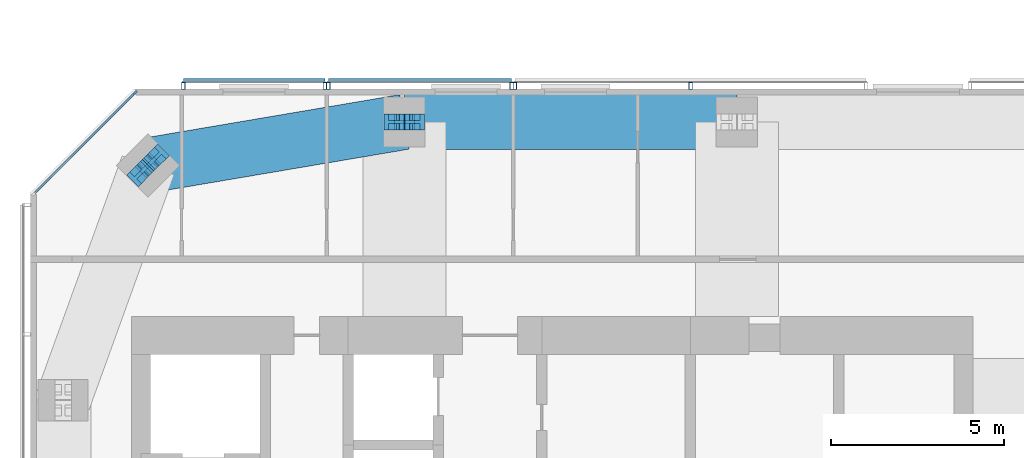
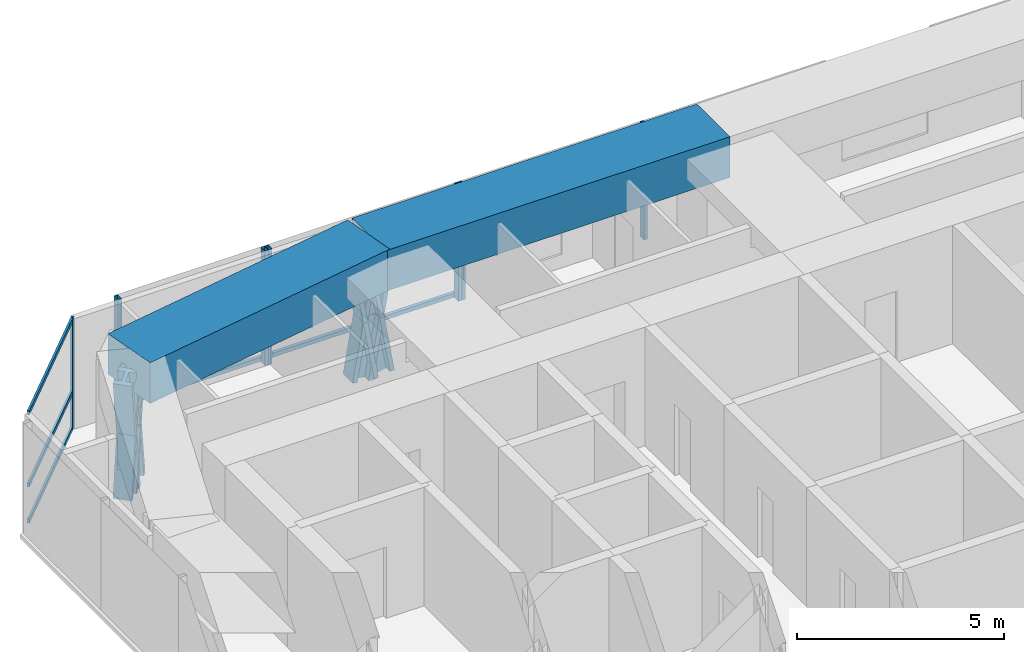
# One storey, part 9 of 18: 20 members, 2 beams, 4 elements without a shape of their own.
"""IFC4 building model written with IfcOpenShell, lengths in metres."""

from ifc_helpers import new_model, si_unit, direction, frame, origin, origin_2d, place, context, subcontext, project, spatial, rectangle, hollow_rectangle, i_section, extrude, material, material_profile, profile_set, type_object, element, aggregate, save


model = new_model("IFC4")

# Units and contexts
model_context = context("Model", 3, precision=1e-05, world=origin(), true_north=direction((0.0, 1.0)))
body_context = subcontext(model_context, "Body", "Model", "MODEL_VIEW")
ifc_project = project(units=[si_unit("LENGTHUNIT", "METRE"), si_unit("AREAUNIT", "SQUARE_METRE"), si_unit("VOLUMEUNIT", "CUBIC_METRE"), si_unit("PLANEANGLEUNIT", "RADIAN"), si_unit("MASSUNIT", "GRAM", prefix="KILO")], contexts=[model_context])

# Site, building, storey
site_placement = place(None, origin())
site = spatial("IfcSite", under=ifc_project, at=site_placement, CompositionType="ELEMENT")
building_placement = place(site_placement, origin())
building = spatial("IfcBuilding", under=site, at=building_placement, Name="Jalousie Tower", CompositionType="ELEMENT")
storey_placement = place(building_placement, frame((0.0, 0.0, 256.449951171875)))
storey = spatial("IfcBuildingStorey", under=building, at=storey_placement, Name="L70", CompositionType="ELEMENT", Elevation=256.449951171875)

# Curtain wall, members
ifc_material_1 = material(Name="Aluminium curtain wall", Category="aluminium")
curtain_wall_type_1 = type_object("IfcCurtainWallType", Name="CORNER WINDOW WALL", PredefinedType="USERDEFINED", material=ifc_material_1)
curtain_wall_1_placement = place(storey_placement, origin())
curtain_wall_1 = element("IfcCurtainWall", 1, at=curtain_wall_1_placement, inside=storey, type_object=curtain_wall_type_1, Name="Corner Window Wall L70 6", ObjectType="CORNER WINDOW WALL", PredefinedType="USERDEFINED")
ifc_material_2 = material(Name="Aluminium mullion", Category="aluminium")
ifc_material_profile_1 = material_profile(ifc_material_2, rectangle(XDim=0.06005859375, YDim=0.14990234375, at=origin_2d()), Name="MULLION 60x150")
ifc_profile_set_1 = profile_set([ifc_material_profile_1], Name="Aluminium mullion")
member_type_1 = type_object("IfcMemberType", Name="CORNER WINDOW WALL MULLION", PredefinedType="MULLION", material=ifc_profile_set_1)
member_1_placement = place(storey_placement, frame((19.830078125, 33.891357421875, 0.0), z_axis=(0.0, 0.0, 1.0), x_axis=(0.707106781187, -0.707106781187, 0.0)))
member_1 = element("IfcMember", 2, at=member_1_placement, type_object=member_type_1, Name="CW-C mullion 1", PredefinedType="MULLION", context=body_context, shape_type="SweptSolid", body=[
    extrude(rectangle(XDim=0.06005859375, YDim=0.14990234375, at=origin_2d()), origin(), (0.0, 0.0, 1.0), 3.260009765625),
])
ifc_material_3 = material(Name="Aluminium transom", Category="aluminium")
ifc_material_profile_2 = material_profile(ifc_material_3, rectangle(XDim=0.06005859375, YDim=0.1201171875, at=origin_2d()), Name="TRANSOM 60x120")
ifc_profile_set_2 = profile_set([ifc_material_profile_2], Name="Aluminium transom")
member_type_2 = type_object("IfcMemberType", Name="CORNER WINDOW WALL TRANSOM", PredefinedType="USERDEFINED", material=ifc_profile_set_2)
member_2_placement = place(storey_placement, frame((19.808837890625, 33.8701171875, 0.030029296875), z_axis=(-0.707106781187, -0.707106781187, 0.0), x_axis=(0.707106781187, -0.707106781187, 0.0)))
member_2 = element("IfcMember", 3, at=member_2_placement, type_object=member_type_2, Name="CW-C transom 1.1", ObjectType="TRANSOM", PredefinedType="USERDEFINED", context=body_context, shape_type="SweptSolid", body=[
    extrude(rectangle(XDim=0.06005859375, YDim=0.1201171875, at=origin_2d()), origin(), (0.0, 0.0, 1.0), 4.0712890625),
])
member_3_placement = place(storey_placement, frame((19.808837890625, 33.8701171875, 1.10009765625), z_axis=(-0.707106781187, -0.707106781187, 0.0), x_axis=(0.707106781187, -0.707106781187, 0.0)))
member_3 = element("IfcMember", 4, at=member_3_placement, type_object=member_type_2, Name="CW-C transom 1.2", ObjectType="TRANSOM", PredefinedType="USERDEFINED", context=body_context, shape_type="SweptSolid", body=[
    extrude(rectangle(XDim=0.06005859375, YDim=0.1201171875, at=origin_2d()), origin(), (0.0, 0.0, 1.0), 4.0712890625),
])
member_4_placement = place(storey_placement, frame((19.808837890625, 33.8701171875, 3.22998046875), z_axis=(-0.707106781187, -0.707106781187, 0.0), x_axis=(0.707106781187, -0.707106781187, 0.0)))
member_4 = element("IfcMember", 5, at=member_4_placement, type_object=member_type_2, Name="CW-C transom 1.3", ObjectType="TRANSOM", PredefinedType="USERDEFINED", context=body_context, shape_type="SweptSolid", body=[
    extrude(rectangle(XDim=0.06005859375, YDim=0.1201171875, at=origin_2d()), origin(), (0.0, 0.0, 1.0), 4.0712890625),
])
aggregate(curtain_wall_1, [member_1, member_2, member_3, member_4])

# Members
ifc_material_4 = material(Name="Steel ASTM A992 Grade 50", Category="steel")
ifc_material_profile_3 = material_profile(ifc_material_4, i_section(OverallWidth=0.472412109375, OverallDepth=0.5791015625, WebThickness=0.094970703125, FlangeThickness=0.1298828125, at=origin_2d()), Name="W14X808")
ifc_profile_set_3 = profile_set([ifc_material_profile_3], Name="Steel ASTM A992 Grade 50")
member_type_3 = type_object("IfcMemberType", Name="PERIMETER BRACE W14X808", PredefinedType="BRACE", material=ifc_profile_set_3)
for number, where, z_axis, x_axis, name in (
    (6, (27.324951171875, 33.050048828125, -0.599853515625), (0.168990530437, 0.0, 0.98561767467), (0.0, 1.0, 0.0), "Perimeter brace 11 L70 part 1"),
    (7, (27.625, 33.050048828125, 1.150146484375), (0.168990530437, 0.0, 0.98561767467), (0.0, 1.0, 0.0), "Perimeter brace 11 L70 part 2"),
    (8, (27.925048828125, 33.050048828125, -0.599853515625), (-0.168990530437, 0.0, 0.98561767467), (0.0, -1.0, 0.0), "Perimeter brace 11 L70 part 3"),
    (9, (27.625, 33.050048828125, 1.150146484375), (-0.168990530437, 0.0, 0.98561767467), (0.0, -1.0, 0.0), "Perimeter brace 11 L70 part 4"),
):
    element("IfcMember", number, at=place(storey_placement, frame(where, z_axis=z_axis, x_axis=x_axis)), inside=storey, type_object=member_type_3, Name=name, PredefinedType="BRACE", context=body_context, shape_type="SweptSolid", body=[
        extrude(i_section(OverallWidth=0.472412109375, OverallDepth=0.5791015625, WebThickness=0.094970703125, FlangeThickness=0.1298828125, at=origin_2d()), origin(), (0.0, 0.0, 1.0), 1.775634765625),
    ])
for number, where, z_axis, x_axis, name in (
    (10, (20.45458984375, 32.040283203125, -0.599853515625), (-0.138716051522, -0.138579250682, 0.980588419435), (0.706757851183, -0.707455539091, 0.0), "Perimeter brace 12 L70 part 1"),
    (11, (20.20703125, 31.79296875, 1.150146484375), (-0.138579250682, -0.138716051522, 0.980588419435), (0.707455539091, -0.706757851183, 0.0), "Perimeter brace 12 L70 part 2"),
    (12, (19.959716796875, 31.54541015625, -0.599853515625), (0.138579250682, 0.138716051522, 0.980588419435), (-0.707455539091, 0.706757851183, 0.0), "Perimeter brace 12 L70 part 3"),
    (13, (20.20703125, 31.79296875, 1.150146484375), (0.138716051522, 0.138579250682, 0.980588419435), (-0.706757851183, 0.707455539091, 0.0), "Perimeter brace 12 L70 part 4"),
):
    element("IfcMember", number, at=place(storey_placement, frame(where, z_axis=z_axis, x_axis=x_axis)), inside=storey, type_object=member_type_3, Name=name, PredefinedType="BRACE", context=body_context, shape_type="SweptSolid", body=[
        extrude(i_section(OverallWidth=0.472412109375, OverallDepth=0.5791015625, WebThickness=0.094970703125, FlangeThickness=0.1298828125, at=origin_2d()), origin(), (0.0, 0.0, 1.0), 1.78466796875),
    ])

# Beams
ifc_material_5 = material(Name="Concrete f'c 40 MPa", Category="concrete")
ifc_material_profile_4 = material_profile(ifc_material_5, rectangle(XDim=1.60009765625, YDim=1.199951171875, at=origin_2d()), Name="RC 1600x1200")
ifc_profile_set_4 = profile_set([ifc_material_profile_4], Name="Concrete f'c 40 MPa")
beam_type = type_object("IfcBeamType", Name="RC BEAM 1600x1200", PredefinedType="BEAM", material=ifc_profile_set_4)
beam_1_placement = place(storey_placement, frame((37.25, 33.050048828125, 2.900146484375), z_axis=(-1.0, 0.0, 0.0), x_axis=(0.0, -1.0, 0.0)))
element("IfcBeam", 14, at=beam_1_placement, inside=storey, type_object=beam_type, Name="Edge band beam 10-11 under L71", PredefinedType="BEAM", context=body_context, shape_type="SweptSolid", body=[
    extrude(rectangle(XDim=1.60009765625, YDim=1.199951171875, at=origin_2d()), origin(), (0.0, 0.0, 1.0), 9.625),
])
beam_2_placement = place(storey_placement, frame((27.625, 33.050048828125, 2.900146484375), z_axis=(-0.985942997446, -0.167082033105, 0.0), x_axis=(0.167082033105, -0.985942997446, 0.0)))
element("IfcBeam", 15, at=beam_2_placement, inside=storey, type_object=beam_type, Name="Edge band beam 11-12 under L71", PredefinedType="BEAM", context=body_context, shape_type="SweptSolid", body=[
    extrude(rectangle(XDim=1.60009765625, YDim=1.199951171875, at=origin_2d()), origin(), (0.0, 0.0, 1.0), 7.523681640625),
])

# Curtain wall, members
ifc_material_6 = material(Name="Perforated aluminium sheet", Category="aluminium")
curtain_wall_type_2 = type_object("IfcCurtainWallType", Name="SOLAR SCREEN SS-2", PredefinedType="USERDEFINED", material=ifc_material_6)
curtain_wall_2_placement = place(storey_placement, origin())
curtain_wall_2 = element("IfcCurtainWall", 16, at=curtain_wall_2_placement, inside=storey, type_object=curtain_wall_type_2, Name="Solar screen L70", ObjectType="SOLAR SCREEN SS-2", PredefinedType="USERDEFINED")
ifc_material_7 = material(Name="Steel ASTM A500 Grade C", Category="steel")
ifc_material_profile_5 = material_profile(ifc_material_7, hollow_rectangle(XDim=0.1015625, YDim=0.203125, WallThickness=0.0078125, at=origin_2d()), Name="HSS8X4X5/16")
ifc_profile_set_5 = profile_set([ifc_material_profile_5], Name="Steel ASTM A500 Grade C")
member_type_4 = type_object("IfcMemberType", Name="SOLAR SCREEN SS-2 MULLION", PredefinedType="MULLION", material=ifc_profile_set_5)
member_5_placement = place(storey_placement, frame((35.90673828125, 34.0966796875, -0.119873046875), z_axis=(0.0, 0.0, 1.0), x_axis=(-1.0, 0.0, 0.0)))
member_5 = element("IfcMember", 17, at=member_5_placement, type_object=member_type_4, Name="SS2 post 2", PredefinedType="MULLION", context=body_context, shape_type="SweptSolid", body=[
    extrude(hollow_rectangle(XDim=0.1015625, YDim=0.203125, WallThickness=0.0078125, at=origin_2d()), origin(), (0.0, 0.0, 1.0), 3.3798828125),
])
member_6_placement = place(storey_placement, frame((30.824951171875, 34.0966796875, -0.119873046875), z_axis=(0.0, 0.0, 1.0), x_axis=(-1.0, 0.0, 0.0)))
member_6 = element("IfcMember", 18, at=member_6_placement, type_object=member_type_4, Name="SS2 post 3", PredefinedType="MULLION", context=body_context, shape_type="SweptSolid", body=[
    extrude(hollow_rectangle(XDim=0.1015625, YDim=0.203125, WallThickness=0.0078125, at=origin_2d()), origin(), (0.0, 0.0, 1.0), 3.3798828125),
])
aggregate(curtain_wall_2, [member_5, member_6])

curtain_wall_3_placement = place(storey_placement, origin())
curtain_wall_3 = element("IfcCurtainWall", 19, at=curtain_wall_3_placement, inside=storey, type_object=curtain_wall_type_2, Name="Solar screen L70", ObjectType="SOLAR SCREEN SS-2", PredefinedType="USERDEFINED")
member_7_placement = place(storey_placement, frame((30.72509765625, 34.0966796875, -0.119873046875), z_axis=(0.0, 0.0, 1.0), x_axis=(-1.0, 0.0, 0.0)))
member_7 = element("IfcMember", 20, at=member_7_placement, type_object=member_type_4, Name="SS2 post 1", PredefinedType="MULLION", context=body_context, shape_type="SweptSolid", body=[
    extrude(hollow_rectangle(XDim=0.1015625, YDim=0.203125, WallThickness=0.0078125, at=origin_2d()), origin(), (0.0, 0.0, 1.0), 3.3798828125),
])
member_8_placement = place(storey_placement, frame((25.425048828125, 34.0966796875, -0.119873046875), z_axis=(0.0, 0.0, 1.0), x_axis=(-1.0, 0.0, 0.0)))
member_8 = element("IfcMember", 21, at=member_8_placement, type_object=member_type_4, Name="SS2 post 2", PredefinedType="MULLION", context=body_context, shape_type="SweptSolid", body=[
    extrude(hollow_rectangle(XDim=0.1015625, YDim=0.203125, WallThickness=0.0078125, at=origin_2d()), origin(), (0.0, 0.0, 1.0), 3.3798828125),
])

curtain_wall_4_placement = place(storey_placement, origin())
curtain_wall_4 = element("IfcCurtainWall", 22, at=curtain_wall_4_placement, inside=storey, type_object=curtain_wall_type_2, Name="Solar screen L70", ObjectType="SOLAR SCREEN SS-2", PredefinedType="USERDEFINED")
member_9_placement = place(storey_placement, frame((25.324951171875, 34.0966796875, -0.119873046875), z_axis=(0.0, 0.0, 1.0), x_axis=(-1.0, 0.0, 0.0)))
member_9 = element("IfcMember", 23, at=member_9_placement, type_object=member_type_4, Name="SS2 post 1", PredefinedType="MULLION", context=body_context, shape_type="SweptSolid", body=[
    extrude(hollow_rectangle(XDim=0.1015625, YDim=0.203125, WallThickness=0.0078125, at=origin_2d()), origin(), (0.0, 0.0, 1.0), 3.3798828125),
])
member_10_placement = place(storey_placement, frame((21.226318359375, 34.0966796875, -0.119873046875), z_axis=(0.0, 0.0, 1.0), x_axis=(-1.0, 0.0, 0.0)))
member_10 = element("IfcMember", 24, at=member_10_placement, type_object=member_type_4, Name="SS2 post 2", PredefinedType="MULLION", context=body_context, shape_type="SweptSolid", body=[
    extrude(hollow_rectangle(XDim=0.1015625, YDim=0.203125, WallThickness=0.0078125, at=origin_2d()), origin(), (0.0, 0.0, 1.0), 3.3798828125),
])

# Member
ifc_material_8 = material(Name="Extruded aluminium screen rail", Category="aluminium")
ifc_material_profile_6 = material_profile(ifc_material_8, rectangle(XDim=0.1015625, YDim=0.1201171875, at=origin_2d()), Name="RAIL 102x120")
ifc_profile_set_6 = profile_set([ifc_material_profile_6], Name="Extruded aluminium screen rail")
member_type_5 = type_object("IfcMemberType", Name="SOLAR SCREEN SS-2 TRANSOM", PredefinedType="USERDEFINED", material=ifc_profile_set_6)
member_11_placement = place(storey_placement, frame((30.72509765625, 34.2490234375, -0.06005859375), z_axis=(-1.0, 0.0, 0.0), x_axis=(0.0, -1.0, 0.0)))
member_11 = element("IfcMember", 25, at=member_11_placement, type_object=member_type_5, Name="SS2 rail", ObjectType="TRANSOM", PredefinedType="USERDEFINED", context=body_context, shape_type="SweptSolid", body=[
    extrude(rectangle(XDim=0.1015625, YDim=0.1201171875, at=origin_2d()), origin(), (0.0, 0.0, 1.0), 5.300048828125),
])

aggregate(curtain_wall_3, [member_7, member_8, member_11])

member_12_placement = place(storey_placement, frame((25.324951171875, 34.2490234375, -0.06005859375), z_axis=(-1.0, 0.0, 0.0), x_axis=(0.0, -1.0, 0.0)))
member_12 = element("IfcMember", 26, at=member_12_placement, type_object=member_type_5, Name="SS2 rail", ObjectType="TRANSOM", PredefinedType="USERDEFINED", context=body_context, shape_type="SweptSolid", body=[
    extrude(rectangle(XDim=0.1015625, YDim=0.1201171875, at=origin_2d()), origin(), (0.0, 0.0, 1.0), 4.0986328125),
])

aggregate(curtain_wall_4, [member_9, member_10, member_12])

save(model, "model.ifc")
